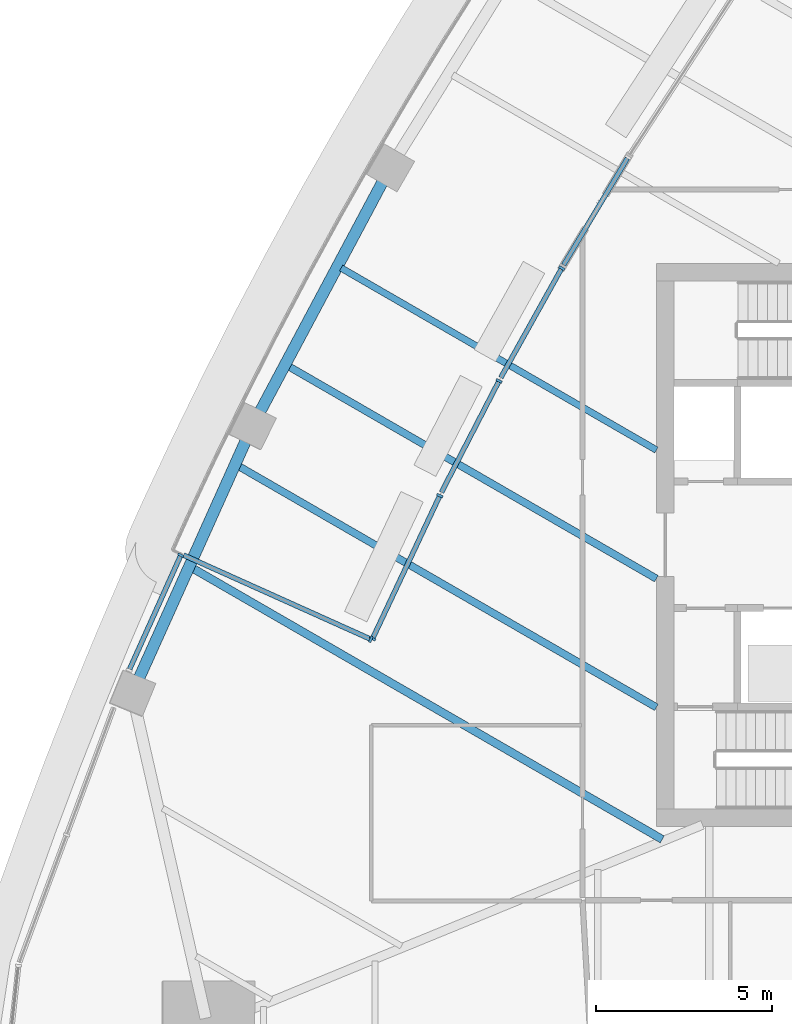
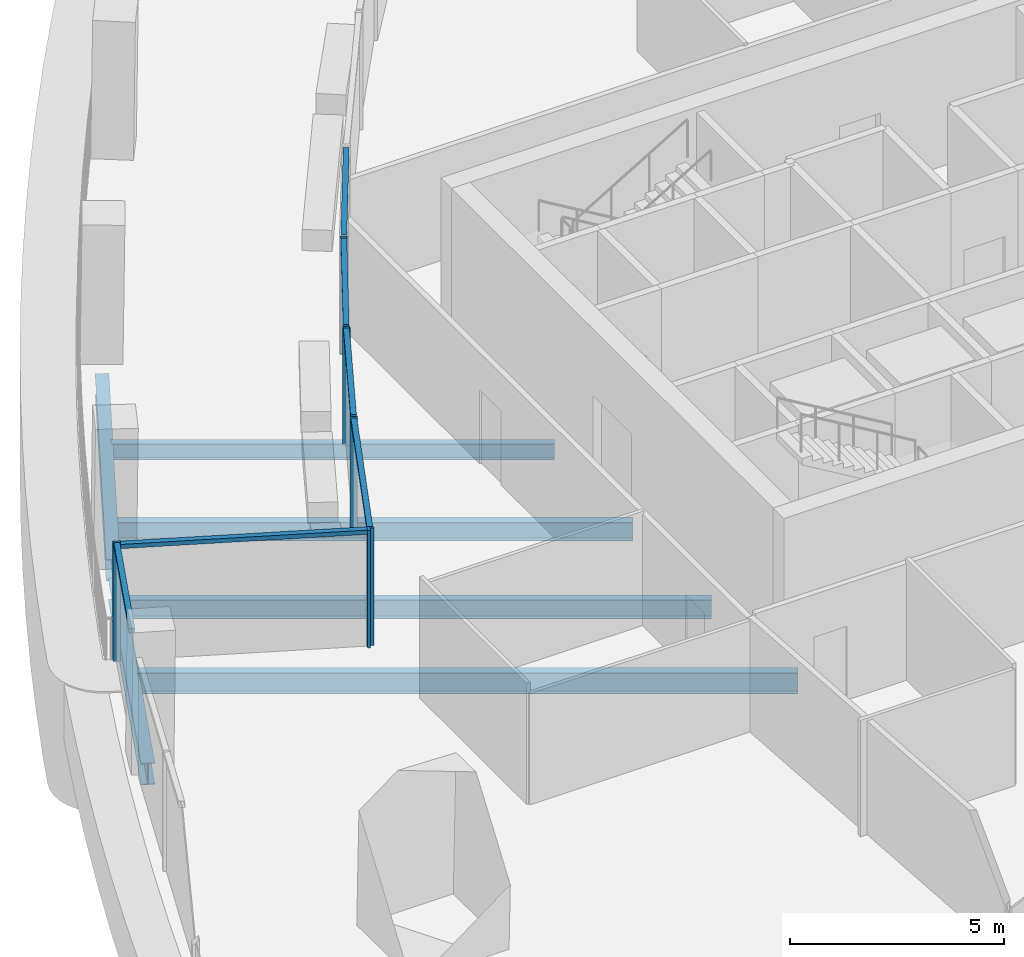
# One storey, part 3 of 19: 12 members, 6 beams, 6 elements without a shape of their own.
"""IFC4 building model written with IfcOpenShell, lengths in metres."""

from ifc_helpers import new_model, si_unit, direction, frame, origin, origin_2d, place, context, subcontext, project, spatial, rectangle, i_section, extrude, material, layer, layer_set, material_profile, profile_set, type_object, element, aggregate, save


model = new_model("IFC4")

# Units and contexts
model_context = context("Model", 3, precision=1e-05, world=origin(), true_north=direction((0.0, 1.0)))
body_context = subcontext(model_context, "Body", "Model", "MODEL_VIEW")
ifc_project = project(units=[si_unit("LENGTHUNIT", "METRE"), si_unit("AREAUNIT", "SQUARE_METRE"), si_unit("VOLUMEUNIT", "CUBIC_METRE"), si_unit("PLANEANGLEUNIT", "RADIAN"), si_unit("MASSUNIT", "GRAM", prefix="KILO")], contexts=[model_context])

# Site, building, storey
site_placement = place(None, origin())
site = spatial("IfcSite", under=ifc_project, at=site_placement, CompositionType="ELEMENT")
building_placement = place(site_placement, origin())
building = spatial("IfcBuilding", under=site, at=building_placement, Name="Sierra Prisma Convention Tower", CompositionType="ELEMENT")
storey_placement = place(building_placement, frame((0.0, 0.0, 173.800048828125)))
storey = spatial("IfcBuildingStorey", under=building, at=storey_placement, Name="L38", CompositionType="ELEMENT", Elevation=173.800048828125)

# Curtain wall, member
ifc_material_1 = material(Name="Aluminium and glass curtain wall", Category="aluminium")
ifc_layer_1 = layer(ifc_material_1, 0.179931640625)
ifc_layer_set_1 = layer_set([ifc_layer_1], Name="CW-1 Plain shaft curtain wall")
curtain_wall_type_1 = type_object("IfcCurtainWallType", Name="CW-1 Plain shaft curtain wall", PredefinedType="NOTDEFINED", material=ifc_layer_set_1)
curtain_wall_1_placement = place(storey_placement, origin())
curtain_wall_1 = element("IfcCurtainWall", 1, at=curtain_wall_1_placement, inside=storey, type_object=curtain_wall_type_1, Name="CW-1 NW5b L38", PredefinedType="NOTDEFINED")
ifc_material_2 = material(Name="Aluminium 6063-T6 bronze anodised", Category="aluminium")
ifc_material_profile_1 = material_profile(ifc_material_2, rectangle(XDim=0.179931640625, YDim=0.070068359375, at=origin_2d()), Name="ALU MULLION 70x180")
ifc_profile_set_1 = profile_set([ifc_material_profile_1], Name="Aluminium 6063-T6 bronze anodised")
member_type_1 = type_object("IfcMemberType", Name="CW mullion bronze", PredefinedType="MULLION", material=ifc_profile_set_1)
member_1_placement = place(storey_placement, frame((-24.513916015625, -0.295166015625, 0.0), z_axis=(0.0, 0.0, 1.0), x_axis=(0.912124343507, -0.409913627465, 0.0)))
member_1 = element("IfcMember", 2, at=member_1_placement, type_object=member_type_1, Name="CW-1 mullion NW5b.1", PredefinedType="MULLION", context=body_context, shape_type="SweptSolid", body=[
    extrude(rectangle(XDim=0.179931640625, YDim=0.070068359375, at=origin_2d()), origin(), (0.0, 0.0, 1.0), 3.39990234375),
])

ifc_material_3 = material(Name="Aluminium and glass curtain wall", Category="aluminium")
ifc_layer_2 = layer(ifc_material_3, 0.179931640625)
ifc_layer_set_2 = layer_set([ifc_layer_2], Name="CW-6 Terrace recess curtain wall")
curtain_wall_type_2 = type_object("IfcCurtainWallType", Name="CW-6 Terrace recess curtain wall", PredefinedType="NOTDEFINED", material=ifc_layer_set_2)
curtain_wall_2_placement = place(storey_placement, origin())
curtain_wall_2 = element("IfcCurtainWall", 3, at=curtain_wall_2_placement, inside=storey, type_object=curtain_wall_type_2, Name="CW-6 R32 L38", PredefinedType="NOTDEFINED")
member_2_placement = place(storey_placement, frame((-13.68896484375, 7.86279296875, 0.0), z_axis=(0.0, 0.0, 1.0), x_axis=(0.873707693452, -0.486451299106, 0.0)))
member_2 = element("IfcMember", 4, at=member_2_placement, type_object=member_type_1, Name="CW-6 mullion R32.1", PredefinedType="MULLION", context=body_context, shape_type="SweptSolid", body=[
    extrude(rectangle(XDim=0.179931640625, YDim=0.070068359375, at=origin_2d()), origin(), (0.0, 0.0, 1.0), 3.33984375),
])

curtain_wall_3_placement = place(storey_placement, origin())
curtain_wall_3 = element("IfcCurtainWall", 5, at=curtain_wall_3_placement, inside=storey, type_object=curtain_wall_type_2, Name="CW-6 R33 L38", PredefinedType="NOTDEFINED")
member_3_placement = place(storey_placement, frame((-15.47216796875, 4.65771484375, 0.0), z_axis=(0.0, 0.0, 1.0), x_axis=(0.888434615801, -0.459003195464, 0.0)))
member_3 = element("IfcMember", 6, at=member_3_placement, type_object=member_type_1, Name="CW-6 mullion R33.1", PredefinedType="MULLION", context=body_context, shape_type="SweptSolid", body=[
    extrude(rectangle(XDim=0.179931640625, YDim=0.070068359375, at=origin_2d()), origin(), (0.0, 0.0, 1.0), 3.33984375),
])

# Curtain wall, members
curtain_wall_4_placement = place(storey_placement, origin())
curtain_wall_4 = element("IfcCurtainWall", 7, at=curtain_wall_4_placement, inside=storey, type_object=curtain_wall_type_2, Name="CW-6 R34 L38", PredefinedType="NOTDEFINED")
member_4_placement = place(storey_placement, frame((-17.154541015625, 1.3984375, 0.0), z_axis=(0.0, 0.0, 1.0), x_axis=(0.90491598643, -0.425590246016, 0.0)))
member_4 = element("IfcMember", 8, at=member_4_placement, type_object=member_type_1, Name="CW-6 mullion R34.1", PredefinedType="MULLION", context=body_context, shape_type="SweptSolid", body=[
    extrude(rectangle(XDim=0.179931640625, YDim=0.070068359375, at=origin_2d()), origin(), (0.0, 0.0, 1.0), 3.33984375),
])
member_5_placement = place(storey_placement, frame((-19.06640625, -2.666748046875, 0.0), z_axis=(0.0, 0.0, 1.0), x_axis=(0.90491598643, -0.425590246016, 0.0)))
member_5 = element("IfcMember", 9, at=member_5_placement, type_object=member_type_1, Name="CW-6 mullion R34.2", PredefinedType="MULLION", context=body_context, shape_type="SweptSolid", body=[
    extrude(rectangle(XDim=0.179931640625, YDim=0.070068359375, at=origin_2d()), origin(), (0.0, 0.0, 1.0), 3.33984375),
])

# Curtain wall, member
curtain_wall_5_placement = place(storey_placement, origin())
curtain_wall_5 = element("IfcCurtainWall", 10, at=curtain_wall_5_placement, inside=storey, type_object=curtain_wall_type_2, Name="CW-6 RT2 L38", PredefinedType="NOTDEFINED")
member_6_placement = place(storey_placement, frame((-19.11328125, -2.68408203125, 0.0), z_axis=(0.0, 0.0, 1.0), x_axis=(-0.409913627465, -0.912124343507, 0.0)))
member_6 = element("IfcMember", 11, at=member_6_placement, type_object=member_type_1, Name="CW-6 mullion RT2.1", PredefinedType="MULLION", context=body_context, shape_type="SweptSolid", body=[
    extrude(rectangle(XDim=0.179931640625, YDim=0.070068359375, at=origin_2d()), origin(), (0.0, 0.0, 1.0), 3.33984375),
])

# Member
ifc_material_4 = material(Name="Aluminium 6063-T6 bronze anodised", Category="aluminium")
ifc_material_profile_2 = material_profile(ifc_material_4, rectangle(XDim=0.139892578125, YDim=0.1201171875, at=origin_2d()), Name="ALU TRANSOM 120x140")
ifc_profile_set_2 = profile_set([ifc_material_profile_2], Name="Aluminium 6063-T6 bronze anodised")
member_type_2 = type_object("IfcMemberType", Name="CW transom bronze", PredefinedType="USERDEFINED", material=ifc_profile_set_2)
member_7_placement = place(storey_placement, frame((-24.5283203125, -0.3271484375, 3.33984375), z_axis=(-0.409945646768, -0.912109953183, 0.0), x_axis=(0.912109953183, -0.409945646768, 0.0)))
member_7 = element("IfcMember", 12, at=member_7_placement, type_object=member_type_2, Name="CW-1 transom NW5b.1", ObjectType="TRANSOM", PredefinedType="USERDEFINED", context=body_context, shape_type="SweptSolid", body=[
    extrude(rectangle(XDim=0.139892578125, YDim=0.1201171875, at=origin_2d()), origin(), (0.0, 0.0, 1.0), 3.51318359375),
])

aggregate(curtain_wall_1, [member_1, member_7])

# Curtain wall, member
curtain_wall_6_placement = place(storey_placement, origin())
curtain_wall_6 = element("IfcCurtainWall", 13, at=curtain_wall_6_placement, inside=storey, type_object=curtain_wall_type_2, Name="CW-6 R31 L38", PredefinedType="NOTDEFINED")
member_8_placement = place(storey_placement, frame((-11.82470703125, 10.98095703125, 3.280029296875), z_axis=(-0.513426759996, -0.858133417436, 0.0), x_axis=(0.858133417436, -0.513426759996, 0.0)))
member_8 = element("IfcMember", 14, at=member_8_placement, type_object=member_type_2, Name="CW-6 transom R31.1", ObjectType="TRANSOM", PredefinedType="USERDEFINED", context=body_context, shape_type="SweptSolid", body=[
    extrude(rectangle(XDim=0.139892578125, YDim=0.1201171875, at=origin_2d()), origin(), (0.0, 0.0, 1.0), 3.52783203125),
])
aggregate(curtain_wall_6, [member_8])

# Member
member_9_placement = place(storey_placement, frame((-13.7060546875, 7.832275390625, 3.280029296875), z_axis=(-0.486441849985, -0.873712954341, 0.0), x_axis=(0.873712954341, -0.486441849985, 0.0)))
member_9 = element("IfcMember", 15, at=member_9_placement, type_object=member_type_2, Name="CW-6 transom R32.1", ObjectType="TRANSOM", PredefinedType="USERDEFINED", context=body_context, shape_type="SweptSolid", body=[
    extrude(rectangle(XDim=0.139892578125, YDim=0.1201171875, at=origin_2d()), origin(), (0.0, 0.0, 1.0), 3.52783203125),
])

aggregate(curtain_wall_2, [member_2, member_9])

member_10_placement = place(storey_placement, frame((-15.48828125, 4.626708984375, 3.280029296875), z_axis=(-0.459021872601, -0.888424966147, 0.0), x_axis=(0.888424966147, -0.459021872601, 0.0)))
member_10 = element("IfcMember", 16, at=member_10_placement, type_object=member_type_2, Name="CW-6 transom R33.1", ObjectType="TRANSOM", PredefinedType="USERDEFINED", context=body_context, shape_type="SweptSolid", body=[
    extrude(rectangle(XDim=0.139892578125, YDim=0.1201171875, at=origin_2d()), origin(), (0.0, 0.0, 1.0), 3.52783203125),
])

aggregate(curtain_wall_3, [member_3, member_10])

member_11_placement = place(storey_placement, frame((-17.16943359375, 1.36669921875, 3.280029296875), z_axis=(-0.425597620723, -0.904912518001, 0.0), x_axis=(0.904912518001, -0.425597620723, 0.0)))
member_11 = element("IfcMember", 17, at=member_11_placement, type_object=member_type_2, Name="CW-6 transom R34.1", ObjectType="TRANSOM", PredefinedType="USERDEFINED", context=body_context, shape_type="SweptSolid", body=[
    extrude(rectangle(XDim=0.139892578125, YDim=0.1201171875, at=origin_2d()), origin(), (0.0, 0.0, 1.0), 4.422119140625),
])

aggregate(curtain_wall_4, [member_4, member_5, member_11])

member_12_placement = place(storey_placement, frame((-19.145263671875, -2.669677734375, 3.280029296875), z_axis=(-0.912118292947, 0.409927090679, 0.0), x_axis=(-0.409927090679, -0.912118292947, 0.0)))
member_12 = element("IfcMember", 18, at=member_12_placement, type_object=member_type_2, Name="CW-6 transom RT2.1", ObjectType="TRANSOM", PredefinedType="USERDEFINED", context=body_context, shape_type="SweptSolid", body=[
    extrude(rectangle(XDim=0.139892578125, YDim=0.1201171875, at=origin_2d()), origin(), (0.0, 0.0, 1.0), 5.80029296875),
])

aggregate(curtain_wall_5, [member_6, member_12])

# Beams
ifc_material_5 = material(Name="Steel ASTM A992 Gr 50", Category="steel")
ifc_material_profile_3 = material_profile(ifc_material_5, i_section(OverallWidth=0.18994140625, OverallDepth=0.45703125, WebThickness=0.009033203125, FlangeThickness=0.014404296875, at=origin_2d()), Name="W460x74")
ifc_profile_set_3 = profile_set([ifc_material_profile_3], Name="Steel ASTM A992 Gr 50")
beam_type_1 = type_object("IfcBeamType", Name="Floor joist W460x74", PredefinedType="JOIST", material=ifc_profile_set_3)
beam_1_placement = place(storey_placement, frame((-19.958251953125, 7.86669921875, -0.528564453125), z_axis=(0.866032694934, -0.499987371146, 0.0), x_axis=(0.499987371146, 0.866032694934, 0.0)))
element("IfcBeam", 19, at=beam_1_placement, inside=storey, type_object=beam_type_1, Name="Floor joist L38 NW09", PredefinedType="JOIST", context=body_context, shape_type="SweptSolid", body=[
    extrude(i_section(OverallWidth=0.18994140625, OverallDepth=0.45703125, WebThickness=0.009033203125, FlangeThickness=0.014404296875, at=origin_2d()), origin(), (0.0, 0.0, 1.0), 10.343994140625),
])
ifc_material_6 = material(Name="Steel ASTM A992 Gr 50", Category="steel")
ifc_material_profile_4 = material_profile(ifc_material_6, i_section(OverallWidth=0.208984375, OverallDepth=0.532958984375, WebThickness=0.01025390625, FlangeThickness=0.015625, at=origin_2d()), Name="W530x92")
ifc_profile_set_4 = profile_set([ifc_material_profile_4], Name="Steel ASTM A992 Gr 50")
beam_type_2 = type_object("IfcBeamType", Name="Floor joist W530x92", PredefinedType="JOIST", material=ifc_profile_set_4)
beam_2_placement = place(storey_placement, frame((-21.44873046875, 5.0712890625, -0.566650390625), z_axis=(0.866020469142, -0.500008546953, 0.0), x_axis=(0.500008546953, 0.866020469142, 0.0)))
element("IfcBeam", 20, at=beam_2_placement, inside=storey, type_object=beam_type_2, Name="Floor joist L38 NW10", PredefinedType="JOIST", context=body_context, shape_type="SweptSolid", body=[
    extrude(i_section(OverallWidth=0.208984375, OverallDepth=0.532958984375, WebThickness=0.01025390625, FlangeThickness=0.015625, at=origin_2d()), origin(), (0.0, 0.0, 1.0), 12.065185546875),
])
beam_3_placement = place(storey_placement, frame((-22.86962890625, 2.2353515625, -0.566650390625), z_axis=(0.866030150373, -0.499991778577, 0.0), x_axis=(0.499991778577, 0.866030150373, 0.0)))
element("IfcBeam", 21, at=beam_3_placement, inside=storey, type_object=beam_type_2, Name="Floor joist L38 NW11", PredefinedType="JOIST", context=body_context, shape_type="SweptSolid", body=[
    extrude(i_section(OverallWidth=0.208984375, OverallDepth=0.532958984375, WebThickness=0.01025390625, FlangeThickness=0.015625, at=origin_2d()), origin(), (0.0, 0.0, 1.0), 13.705810546875),
])
ifc_material_7 = material(Name="Steel ASTM A992 Gr 50", Category="steel")
ifc_material_profile_5 = material_profile(ifc_material_7, i_section(OverallWidth=0.22802734375, OverallDepth=0.60302734375, WebThickness=0.010498046875, FlangeThickness=0.014892578125, at=origin_2d()), Name="W610x101")
ifc_profile_set_5 = profile_set([ifc_material_profile_5], Name="Steel ASTM A992 Gr 50")
beam_type_3 = type_object("IfcBeamType", Name="Floor joist W610x101", PredefinedType="JOIST", material=ifc_profile_set_5)
beam_4_placement = place(storey_placement, frame((-24.174072265625, -0.66748046875, -0.45166015625), z_axis=(0.866023253163, -0.500003724967, 0.0), x_axis=(0.500003724967, 0.866023253163, 0.0)))
element("IfcBeam", 22, at=beam_4_placement, inside=storey, type_object=beam_type_3, Name="Floor joist L38 NW12", PredefinedType="JOIST", context=body_context, shape_type="SweptSolid", body=[
    extrude(i_section(OverallWidth=0.22802734375, OverallDepth=0.60302734375, WebThickness=0.010498046875, FlangeThickness=0.014892578125, at=origin_2d()), origin(), (0.0, 0.0, 1.0), 15.40283203125),
])
ifc_material_8 = material(Name="Steel ASTM A992 Gr 50", Category="steel")
ifc_material_profile_6 = material_profile(ifc_material_8, i_section(OverallWidth=0.324951171875, OverallDepth=0.615966796875, WebThickness=0.013916015625, FlangeThickness=0.021484375, at=origin_2d()), Name="W610x174")
ifc_profile_set_6 = profile_set([ifc_material_profile_6], Name="Steel ASTM A992 Gr 50")
beam_type_4 = type_object("IfcBeamType", Name="Spandrel beam W610x174", PredefinedType="BEAM", material=ifc_profile_set_6)
beam_5_placement = place(storey_placement, frame((-18.744140625, 10.383056640625, -0.608154296875), z_axis=(-0.470484404334, -0.882408309842, 0.0), x_axis=(0.882408309842, -0.470484404334, 0.0)))
element("IfcBeam", 23, at=beam_5_placement, inside=storey, type_object=beam_type_4, Name="Spandrel L38-16", PredefinedType="BEAM", context=body_context, shape_type="SweptSolid", body=[
    extrude(i_section(OverallWidth=0.324951171875, OverallDepth=0.615966796875, WebThickness=0.013916015625, FlangeThickness=0.021484375, at=origin_2d()), origin(), (0.0, 0.0, 1.0), 7.56689453125),
])
beam_6_placement = place(storey_placement, frame((-22.638916015625, 3.023681640625, -0.608154296875), z_axis=(-0.409907132861, -0.91212726219, 0.0), x_axis=(0.91212726219, -0.409907132861, 0.0)))
element("IfcBeam", 24, at=beam_6_placement, inside=storey, type_object=beam_type_4, Name="Spandrel L38-17", PredefinedType="BEAM", context=body_context, shape_type="SweptSolid", body=[
    extrude(i_section(OverallWidth=0.324951171875, OverallDepth=0.615966796875, WebThickness=0.013916015625, FlangeThickness=0.021484375, at=origin_2d()), origin(), (0.0, 0.0, 1.0), 7.56640625),
])

save(model, "model.ifc")
